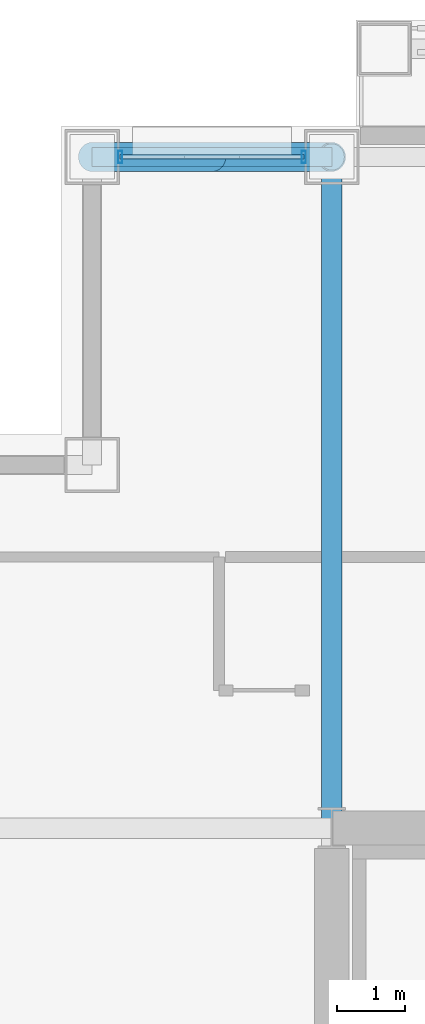
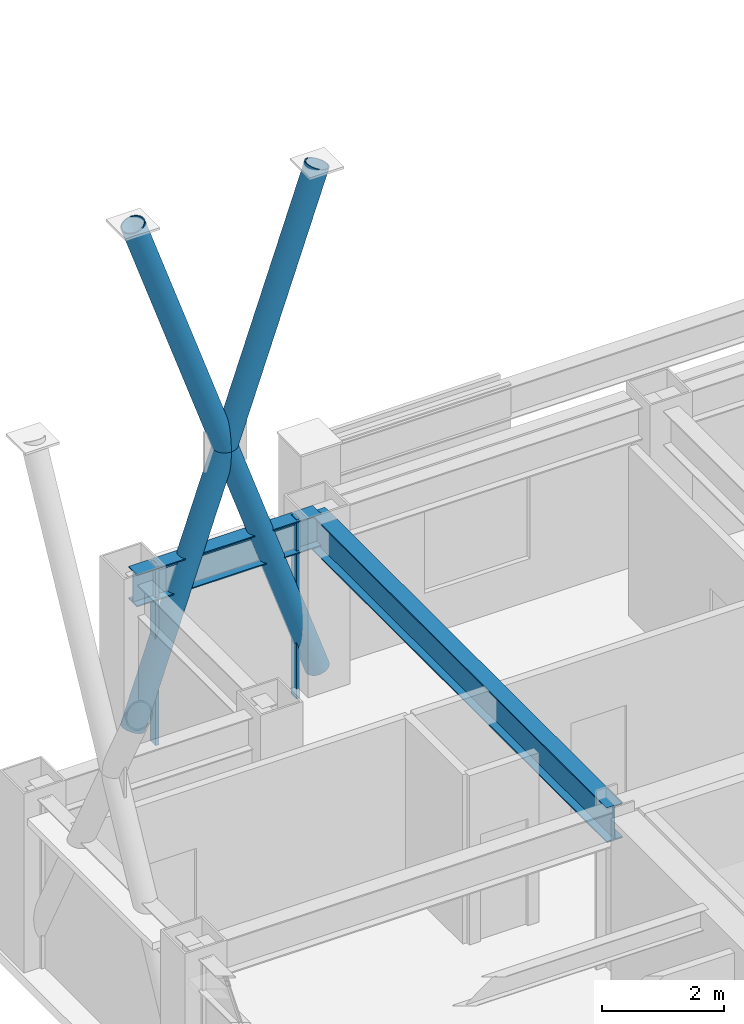
# One storey, part 19 of 33: 6 members, 2 beams, 1 element without a shape of its own.
"""IFC4 building model written with IfcOpenShell, lengths in metres."""

from ifc_helpers import new_model, si_unit, direction, frame, origin, origin_2d, place, context, subcontext, project, spatial, hollow_rectangle, hollow_circle, i_section, extrude, material, layer, layer_set, material_profile, profile_set, type_object, element, aggregate, save


model = new_model("IFC4")

# Units and contexts
model_context = context("Model", 3, precision=1e-05, world=origin(), true_north=direction((0.0, 1.0)))
body_context = subcontext(model_context, "Body", "Model", "MODEL_VIEW")
ifc_project = project(units=[si_unit("LENGTHUNIT", "METRE"), si_unit("AREAUNIT", "SQUARE_METRE"), si_unit("VOLUMEUNIT", "CUBIC_METRE"), si_unit("PLANEANGLEUNIT", "RADIAN"), si_unit("MASSUNIT", "GRAM", prefix="KILO")], contexts=[model_context])

# Site, building, storey
site_placement = place(None, origin())
site = spatial("IfcSite", under=ifc_project, at=site_placement, CompositionType="ELEMENT")
building_placement = place(site_placement, origin())
building = spatial("IfcBuilding", under=site, at=building_placement, Name="Brelmoor Portico Tower", CompositionType="ELEMENT")
storey_placement = place(building_placement, frame((0.0, 0.0, 120.60009765625)))
storey = spatial("IfcBuildingStorey", under=building, at=storey_placement, Name="L31", CompositionType="ELEMENT", Elevation=120.60009765625)

# Beams
ifc_material_1 = material(Name="Steel Q355B", Category="steel")
ifc_material_profile_1 = material_profile(ifc_material_1, i_section(OverallWidth=0.300048828125, OverallDepth=0.699951171875, WebThickness=0.012939453125, FlangeThickness=0.02392578125, at=origin_2d()), Name="HN 700x300x13x24")
ifc_profile_set_1 = profile_set([ifc_material_profile_1], Name="Steel Q355B")
beam_type_1 = type_object("IfcBeamType", Name="BM-PG-700", PredefinedType="BEAM", material=ifc_profile_set_1)
beam_1_placement = place(storey_placement, frame((-14.550048828125, 9.75, 3.0498046875), z_axis=(0.0, 1.0, 0.0), x_axis=(-1.0, 0.0, 0.0)))
element("IfcBeam", 1, at=beam_1_placement, inside=storey, type_object=beam_type_1, Name="L31 Primary Floor Girder PG-04", PredefinedType="BEAM", context=body_context, shape_type="SweptSolid", body=[
    extrude(i_section(OverallWidth=0.300048828125, OverallDepth=0.699951171875, WebThickness=0.012939453125, FlangeThickness=0.02392578125, at=origin_2d()), origin(), (0.0, 0.0, 1.0), 9.800048828125),
])
ifc_material_profile_2 = material_profile(ifc_material_1, i_section(OverallWidth=0.280029296875, OverallDepth=0.64990234375, WebThickness=0.012939453125, FlangeThickness=0.02197265625, at=origin_2d()), Name="HN 650x280x13x22")
ifc_profile_set_2 = profile_set([ifc_material_profile_2], Name="Steel Q355B")
beam_type_2 = type_object("IfcBeamType", Name="BM-SP-650", PredefinedType="SPANDREL", material=ifc_profile_set_2)
beam_2_placement = place(storey_placement, frame((-18.050048828125, 19.550048828125, 3.074951171875), z_axis=(1.0, 0.0, 0.0), x_axis=(0.0, 1.0, 0.0)))
element("IfcBeam", 2, at=beam_2_placement, inside=storey, type_object=beam_type_2, Name="L31 Perimeter Spandrel Beam SP-10", PredefinedType="SPANDREL", context=body_context, shape_type="SweptSolid", body=[
    extrude(i_section(OverallWidth=0.280029296875, OverallDepth=0.64990234375, WebThickness=0.012939453125, FlangeThickness=0.02197265625, at=origin_2d()), origin(), (0.0, 0.0, 1.0), 3.5),
])

# Members
ifc_material_profile_3 = material_profile(ifc_material_1, hollow_circle(Radius=0.212890625, WallThickness=0.02001953125, at=origin_2d()), Name="CHS 426x20")
ifc_profile_set_3 = profile_set([ifc_material_profile_3], Name="Steel Q355B")
member_type_1 = type_object("IfcMemberType", Name="MB-BELT-DIAG1", PredefinedType="BRACE", material=ifc_profile_set_3)
member_1_placement = place(storey_placement, frame((-18.050048828125, 19.550048828125, 0.25), z_axis=(0.327436099292, 0.0, 0.944873325309), x_axis=(0.0, 1.0, 0.0)))
element("IfcMember", 3, at=member_1_placement, inside=storey, type_object=member_type_1, Name="L31 Continuous Mega-X Brace 067A", PredefinedType="BRACE", context=body_context, shape_type="SweptSolid", body=[
    extrude(hollow_circle(Radius=0.212890625, WallThickness=0.02001953125, at=origin_2d()), origin(), (0.0, 0.0, 1.0), 10.689208984375),
])
member_2_placement = place(storey_placement, frame((-14.550048828125, 19.550048828125, 0.25), z_axis=(-0.327443165844, 0.0, 0.944870876439), x_axis=(0.0, -1.0, 0.0)))
element("IfcMember", 4, at=member_2_placement, inside=storey, type_object=member_type_1, Name="L31 Split Mega-X Brace 067B1", PredefinedType="BRACE", context=body_context, shape_type="SweptSolid", body=[
    extrude(hollow_circle(Radius=0.212890625, WallThickness=0.02001953125, at=origin_2d()), origin(), (0.0, 0.0, 1.0), 5.344482421875),
])
member_3_placement = place(storey_placement, frame((-16.300048828125, 19.550048828125, 5.2998046875), z_axis=(-0.327429033028, 0.0, 0.94487577402), x_axis=(0.0, -1.0, 0.0)))
element("IfcMember", 5, at=member_3_placement, inside=storey, type_object=member_type_1, Name="L31 Split Mega-X Brace 067B2", PredefinedType="BRACE", context=body_context, shape_type="SweptSolid", body=[
    extrude(hollow_circle(Radius=0.212890625, WallThickness=0.02001953125, at=origin_2d()), origin(), (0.0, 0.0, 1.0), 5.3447265625),
])

# Curtain wall, members
ifc_material_2 = material(Name="Anodised Aluminium Alloy 6063-T6", Category="aluminium")
ifc_layer = layer(ifc_material_2, 0.179931640625)
ifc_layer_set = layer_set([ifc_layer], Name="Anodised Aluminium Alloy 6063-T6")
curtain_wall_type = type_object("IfcCurtainWallType", Name="CW-TOWER-Z2-XB", PredefinedType="NOTDEFINED", material=ifc_layer_set)
curtain_wall_placement = place(storey_placement, origin())
curtain_wall = element("IfcCurtainWall", 6, at=curtain_wall_placement, inside=storey, type_object=curtain_wall_type, Name="L31 Curtain Wall CW-L31-2L", PredefinedType="NOTDEFINED")
ifc_material_profile_4 = material_profile(ifc_material_2, hollow_rectangle(XDim=0.06494140625, YDim=0.179931640625, WallThickness=0.00390625, at=origin_2d()), Name="ALU MULLION 65x180")
ifc_profile_set_4 = profile_set([ifc_material_profile_4], Name="Anodised Aluminium Alloy 6063-T6")
member_type_2 = type_object("IfcMemberType", Name="MB-CW-MULL-180", PredefinedType="MULLION", material=ifc_profile_set_4)
member_4_placement = place(storey_placement, frame((-17.639892578125, 19.550048828125, -0.2001953125), z_axis=(0.0, 0.0, 1.0), x_axis=(1.0, 0.0, 0.0)))
member_4 = element("IfcMember", 7, at=member_4_placement, type_object=member_type_2, Name="CW-L31-2L Mullion 00", PredefinedType="MULLION", context=body_context, shape_type="SweptSolid", body=[
    extrude(hollow_rectangle(XDim=0.06494140625, YDim=0.179931640625, WallThickness=0.00390625, at=origin_2d()), origin(), (0.0, 0.0, 1.0), 3.60009765625),
])
member_5_placement = place(storey_placement, frame((-14.9599609375, 19.550048828125, -0.2001953125), z_axis=(0.0, 0.0, 1.0), x_axis=(1.0, 0.0, 0.0)))
member_5 = element("IfcMember", 8, at=member_5_placement, type_object=member_type_2, Name="CW-L31-2L Mullion 01", PredefinedType="MULLION", context=body_context, shape_type="SweptSolid", body=[
    extrude(hollow_rectangle(XDim=0.06494140625, YDim=0.179931640625, WallThickness=0.00390625, at=origin_2d()), origin(), (0.0, 0.0, 1.0), 3.60009765625),
])
ifc_material_profile_5 = material_profile(ifc_material_2, hollow_rectangle(XDim=0.06494140625, YDim=0.139892578125, WallThickness=0.00390625, at=origin_2d()), Name="ALU TRANSOM 65x140")
ifc_profile_set_5 = profile_set([ifc_material_profile_5], Name="Anodised Aluminium Alloy 6063-T6")
member_type_3 = type_object("IfcMemberType", Name="MB-CW-TRAN-140", PredefinedType="USERDEFINED", material=ifc_profile_set_5)
member_6_placement = place(storey_placement, frame((-17.639892578125, 19.550048828125, 3.329833984375), z_axis=(1.0, 0.0, 0.0), x_axis=(0.0, 1.0, 0.0)))
member_6 = element("IfcMember", 9, at=member_6_placement, type_object=member_type_3, Name="CW-L31-2L Transom 1-00", ObjectType="TRANSOM", PredefinedType="USERDEFINED", context=body_context, shape_type="SweptSolid", body=[
    extrude(hollow_rectangle(XDim=0.06494140625, YDim=0.139892578125, WallThickness=0.00390625, at=origin_2d()), origin(), (0.0, 0.0, 1.0), 2.679931640625),
])
aggregate(curtain_wall, [member_4, member_5, member_6])

save(model, "model.ifc")
